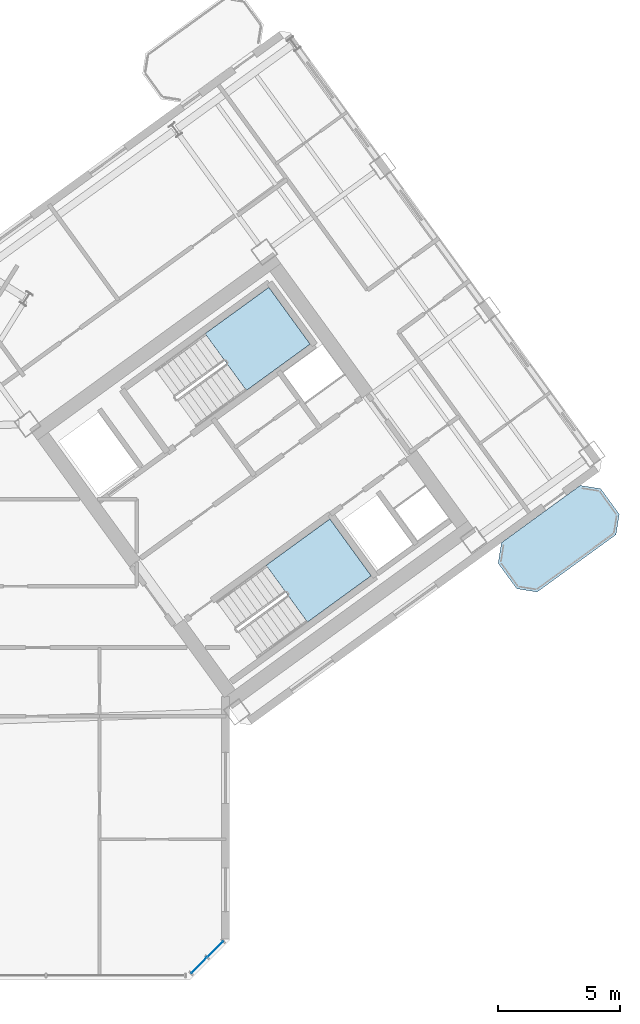
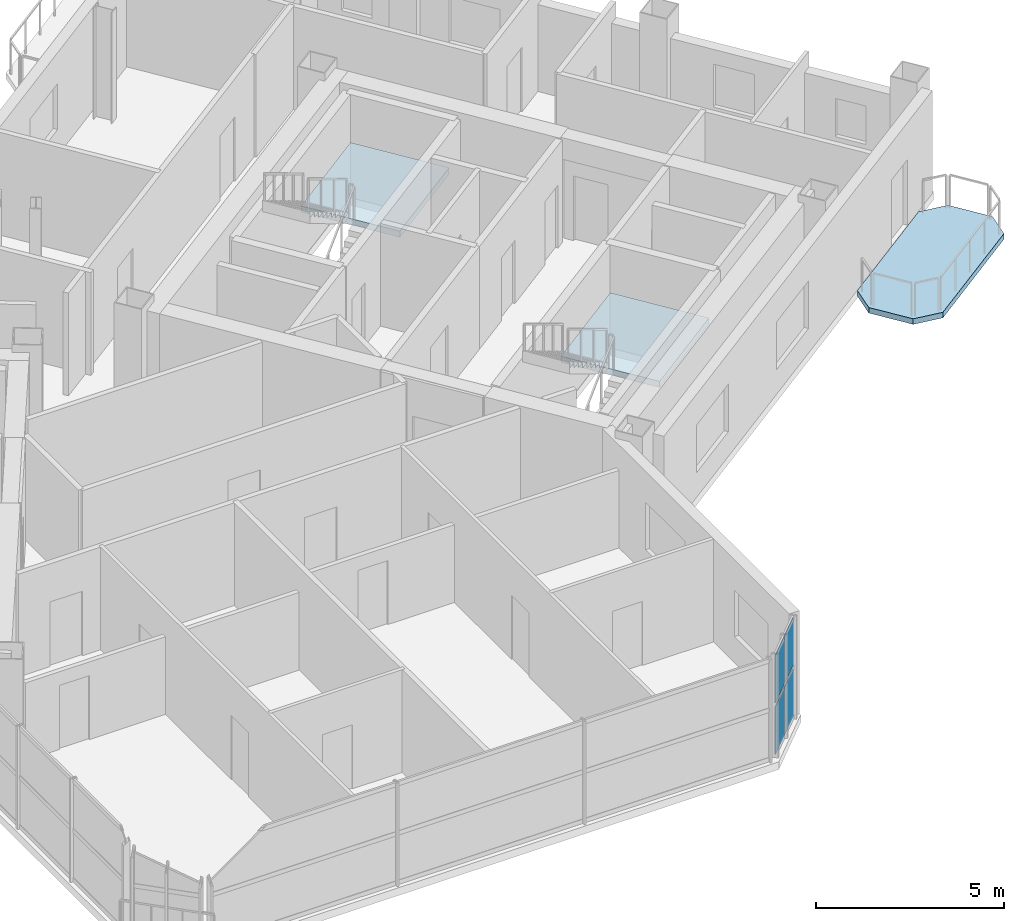
# One storey, part 10 of 20: 4 plates, 3 slabs, 3 elements without a shape of their own.
"""IFC4 building model written with IfcOpenShell, lengths in metres."""

import ifcopenshell
import ifcopenshell.guid

model = None  # the IFC model being written
_history = None  # IfcOwnerHistory: only IFC2X3 demands one
_inside = {}  # id of a spatial element -> (the spatial element, [elements in it])
_under = {}  # id of a project, library or spatial element -> (it, [spatial elements below it])
_declared = {}  # id of a project -> (the project, [libraries it declares])
_typed = {}  # id of a type object -> (the type object, [elements of that type])
_made_of = {}  # id of a material, layer set ... -> (it, [elements and type objects made of it])


def new_model(schema):
    """Start an empty IFC model of exactly this schema.

    Asked for "IFC4X3", IfcOpenShell would pick the latest addendum, in which some entities
    have other attributes; the version numbers below select the first issue.
    IFC2X3 requires an IfcOwnerHistory on every rooted entity: one is made here for all.
    """
    global model, _history
    if schema == "IFC4X3":
        model = ifcopenshell.file(schema_version=(4, 3, 0, 0))
    else:
        model = ifcopenshell.file(schema=schema)
    _inside.clear()
    _under.clear()
    _declared.clear()
    _typed.clear()
    _made_of.clear()
    _history = None
    if model.schema == "IFC2X3":
        org = make("IfcOrganization", Name="unknown")
        user = make(
            "IfcPersonAndOrganization",
            ThePerson=make("IfcPerson", FamilyName="unknown"),
            TheOrganization=org,
        )
        app = make(
            "IfcApplication",
            ApplicationDeveloper=org,
            Version="unknown",
            ApplicationFullName="unknown",
            ApplicationIdentifier="unknown",
        )
        _history = make(
            "IfcOwnerHistory",
            OwningUser=user,
            OwningApplication=app,
            ChangeAction="ADDED",
            CreationDate=0,
        )
    return model


def make(cls, **values):
    """One entity of the class cls with the attributes given. An attribute that is None is left unset."""
    return model.create_entity(
        cls, **{name: value for name, value in values.items() if value is not None}
    )


def rooted(cls, **values):
    """An entity with a GlobalId (a new one), such as an element, a storey or a relation."""
    return make(cls, GlobalId=ifcopenshell.guid.new(), OwnerHistory=_history, **values)


def si_unit(unit_type, name, prefix=None):
    """IfcSIUnit, for example si_unit("LENGTHUNIT", "METRE", prefix="MILLI")."""
    return make("IfcSIUnit", UnitType=unit_type, Prefix=prefix, Name=name)


def assignment(units):
    """IfcUnitAssignment: the units of a project."""
    return None if units is None else make("IfcUnitAssignment", Units=units)


def point(xyz):
    """IfcCartesianPoint."""
    return None if xyz is None else make("IfcCartesianPoint", Coordinates=xyz)


def direction(xyz):
    """IfcDirection."""
    return None if xyz is None else make("IfcDirection", DirectionRatios=xyz)


def frame(location, z_axis=None, x_axis=None):
    """IfcAxis2Placement3D, a coordinate frame: its origin and axes. An axis left out is left unset."""
    return make(
        "IfcAxis2Placement3D",
        Location=point(location),
        Axis=direction(z_axis),
        RefDirection=direction(x_axis),
    )


def frame_2d(location, x_axis=None):
    """IfcAxis2Placement2D, a coordinate frame in the plane: its origin and x axis."""
    return make(
        "IfcAxis2Placement2D", Location=point(location), RefDirection=direction(x_axis)
    )


def origin():
    """The frame at (0, 0, 0) with its axes left unset."""
    return frame((0.0, 0.0, 0.0))


def origin_2d():
    """The frame at (0, 0) in the plane with its x axis left unset."""
    return frame_2d((0.0, 0.0))


def place(relative_to, where):
    """IfcLocalPlacement: puts the frame where relative to a parent placement (None: the world)."""
    return make(
        "IfcLocalPlacement", PlacementRelTo=relative_to, RelativePlacement=where
    )


def context(
    kind, dimensions, precision=None, world=None, true_north=None, identifier=None
):
    """IfcGeometricRepresentationContext, for example the 3D "Model" context."""
    return make(
        "IfcGeometricRepresentationContext",
        ContextIdentifier=identifier,
        ContextType=kind,
        CoordinateSpaceDimension=dimensions,
        Precision=precision,
        WorldCoordinateSystem=world,
        TrueNorth=true_north,
    )


def subcontext(parent, identifier, kind, view, scale=None):
    """IfcGeometricRepresentationSubContext, for example "Body" below "Model"."""
    return make(
        "IfcGeometricRepresentationSubContext",
        ContextIdentifier=identifier,
        ContextType=kind,
        ParentContext=parent,
        TargetScale=scale,
        TargetView=view,
    )


def project(units=None, contexts=None):
    """IfcProject with its units and contexts."""
    return rooted(
        "IfcProject",
        Name="project",
        RepresentationContexts=contexts,
        UnitsInContext=assignment(units),
    )


def spatial(cls, under=None, at=None, **own):
    """A site, building, storey or space (cls), placed at a placement, below another one or the project."""
    s = rooted(cls, ObjectPlacement=at, **own)
    if under is not None:
        _under.setdefault(under.id(), (under, []))[1].append(s)
    return s


def polyline(points):
    """IfcPolyline through the points."""
    return make("IfcPolyline", Points=[point(p) for p in points])


def profile(cls, at=None, kind="AREA", **sizes):
    """A parametric profile (cls). Its sizes go by their IFC names, for example OverallWidth=200.0."""
    return make(cls, ProfileType=kind, Position=at, **sizes)


def rectangle(**sizes):
    """IfcRectangleProfileDef."""
    return profile("IfcRectangleProfileDef", **sizes)


def outline(outer, holes=None, kind="AREA"):
    """IfcArbitraryClosedProfileDef: a profile drawn as a closed curve; with holes, ...WithVoids."""
    if holes is None:
        return make("IfcArbitraryClosedProfileDef", ProfileType=kind, OuterCurve=outer)
    return make(
        "IfcArbitraryProfileDefWithVoids",
        ProfileType=kind,
        OuterCurve=outer,
        InnerCurves=holes,
    )


def extrude(swept, where, along, depth):
    """IfcExtrudedAreaSolid: the profile swept, set in the frame where, extruded along a direction by depth."""
    return make(
        "IfcExtrudedAreaSolid",
        SweptArea=swept,
        Position=where,
        ExtrudedDirection=direction(along),
        Depth=depth,
    )


def shape(context_of_items, identifier, shape_type, items):
    """IfcShapeRepresentation: the items that make up one representation, for example the "Body"."""
    return make(
        "IfcShapeRepresentation",
        ContextOfItems=context_of_items,
        RepresentationIdentifier=identifier,
        RepresentationType=shape_type,
        Items=items,
    )


def source(mapping_origin, context_of_items, identifier, shape_type, items):
    """IfcRepresentationMap: a shape defined once, which mapped items show again and again."""
    return make(
        "IfcRepresentationMap",
        MappingOrigin=mapping_origin,
        MappedRepresentation=shape(context_of_items, identifier, shape_type, items),
    )


def transform(
    local_origin,
    x_axis=None,
    y_axis=None,
    z_axis=None,
    scale=None,
    scale2=None,
    scale3=None,
    uniform=True,
):
    """IfcCartesianTransformationOperator3D, or its non-uniform kind. x_axis, y_axis, z_axis: its Axis1, 2, 3."""
    if uniform:
        return make(
            "IfcCartesianTransformationOperator3D",
            Axis1=direction(x_axis),
            Axis2=direction(y_axis),
            LocalOrigin=point(local_origin),
            Scale=scale,
            Axis3=direction(z_axis),
        )
    return make(
        "IfcCartesianTransformationOperator3DnonUniform",
        Axis1=direction(x_axis),
        Axis2=direction(y_axis),
        LocalOrigin=point(local_origin),
        Scale=scale,
        Axis3=direction(z_axis),
        Scale2=scale2,
        Scale3=scale3,
    )


def mapped(mapping_source, mapping_target):
    """IfcMappedItem: shows the shape of a source again, moved by a transform."""
    return make(
        "IfcMappedItem", MappingSource=mapping_source, MappingTarget=mapping_target
    )


def material(Name=None, Category=None):
    """IfcMaterial."""
    return make("IfcMaterial", Name=Name, Category=Category)


def layer(
    of_material, thickness, ventilated=None, Name=None, Category=None, Priority=None
):
    """IfcMaterialLayer: one layer of a wall or slab, of a material (None: an air gap)."""
    return make(
        "IfcMaterialLayer",
        Material=of_material,
        LayerThickness=thickness,
        IsVentilated=ventilated,
        Name=Name,
        Category=Category,
        Priority=Priority,
    )


def layer_set(layers, Name=None):
    """IfcMaterialLayerSet."""
    return make("IfcMaterialLayerSet", MaterialLayers=layers, LayerSetName=Name)


def made_of(thing, what):
    """Note that an element or type object is made of a material, layer set ...; save() writes the relation."""
    if what is not None:
        _made_of.setdefault(what.id(), (what, []))[1].append(thing)
    return thing


def type_object(cls, material=None, **own):
    """A type object (cls), such as IfcWallType, which elements share."""
    return made_of(rooted(cls, **own), material)


def element(
    cls,
    number,
    at=None,
    inside=None,
    cuts=None,
    type_object=None,
    material=None,
    context=None,
    identifier="Body",
    shape_type=None,
    held_by="IfcProductDefinitionShape",
    body=None,
    shapes=None,
    **own,
):
    """One element of the class cls, such as IfcWall. Its Tag is "e" and its number.

    at: its placement. inside: the storey or other place that contains it. cuts: it is an
    opening in that element (IfcRelVoidsElement). A single representation is given by context,
    identifier, shape_type and body (its items); several are given by shapes. held_by: the class
    of the entity that holds the representations. save() writes the other relations.
    """
    e = rooted(cls, Tag="e%d" % number, ObjectPlacement=at, **own)
    if body is not None:
        shapes = [shape(context, identifier, shape_type, body)]
    if shapes is not None:
        e.Representation = make(held_by, Representations=shapes)
    if inside is not None:
        _inside.setdefault(inside.id(), (inside, []))[1].append(e)
    if cuts is not None:
        rooted(
            "IfcRelVoidsElement", RelatingBuildingElement=cuts, RelatedOpeningElement=e
        )
    if type_object is not None:
        _typed.setdefault(type_object.id(), (type_object, []))[1].append(e)
    return made_of(e, material)


def aggregate(whole, parts):
    """IfcRelAggregates: a whole, such as a stair, and the parts it consists of."""
    return rooted("IfcRelAggregates", RelatingObject=whole, RelatedObjects=parts)


def save(model, path):
    """Write the relations noted so far, then the file.

    IfcRelAggregates (storeys below a building ...), IfcRelContainedInSpatialStructure (elements
    in a storey), IfcRelDefinesByType, IfcRelAssociatesMaterial and IfcRelDeclares: one each for
    every whole, place, type object, material and project.
    """
    for whole, parts in _under.values():
        aggregate(whole, parts)
    for where, things in _inside.values():
        rooted(
            "IfcRelContainedInSpatialStructure",
            RelatedElements=things,
            RelatingStructure=where,
        )
    for kind, things in _typed.values():
        rooted("IfcRelDefinesByType", RelatedObjects=things, RelatingType=kind)
    for what, things in _made_of.values():
        rooted("IfcRelAssociatesMaterial", RelatedObjects=things, RelatingMaterial=what)
    for by, libraries in _declared.values():
        rooted("IfcRelDeclares", RelatingContext=by, RelatedDefinitions=libraries)
    model.write(path)


model = new_model("IFC4")

# Units and contexts
model_context = context("Model", 3, precision=1e-05, world=origin(), true_north=direction((0.0, 1.0)))
body_context = subcontext(model_context, "Body", "Model", "MODEL_VIEW")
ifc_project = project(units=[si_unit("LENGTHUNIT", "METRE"), si_unit("AREAUNIT", "SQUARE_METRE"), si_unit("VOLUMEUNIT", "CUBIC_METRE"), si_unit("PLANEANGLEUNIT", "RADIAN"), si_unit("MASSUNIT", "GRAM", prefix="KILO")], contexts=[model_context])

# Site, building, storey
site_placement = place(None, origin())
site = spatial("IfcSite", under=ifc_project, at=site_placement, CompositionType="ELEMENT")
building_placement = place(site_placement, origin())
building = spatial("IfcBuilding", under=site, at=building_placement, Name="Tlacorven Tower", CompositionType="ELEMENT")
storey_placement = place(building_placement, frame((0.0, 0.0, 187.800048828125)))
storey = spatial("IfcBuildingStorey", under=building, at=storey_placement, Name="L47", CompositionType="ELEMENT", Elevation=187.800048828125)

# Slab
ifc_material_1 = material(Name="Precast concrete C45/55", Category="concrete")
ifc_layer_1 = layer(ifc_material_1, 0.179931640625)
ifc_layer_set_1 = layer_set([ifc_layer_1], Name="Precast concrete C45/55")
slab_type_1 = type_object("IfcSlabType", Name="SL-BAL-180", PredefinedType="USERDEFINED", material=ifc_layer_set_1)
slab_1_placement = place(storey_placement, frame((0.0, 0.0, -0.179931640625)))
element("IfcSlab", 1, at=slab_1_placement, inside=storey, type_object=slab_type_1, Name="L47 East Wing Balcony Ribbon OUT", ObjectType="BALCONY SLAB", PredefinedType="USERDEFINED", context=body_context, shape_type="SweptSolid", body=[
    extrude(outline(polyline([(65.025634765625, 17.69482421875), (68.26171875, 20.046142578125), (68.394287109375, 20.884033203125), (67.633056640625, 21.931884765625), (66.795166015625, 22.064453125), (63.55908203125, 19.71337890625), (63.42626953125, 18.875244140625), (64.1875, 17.82763671875), (65.025634765625, 17.69482421875)])), origin(), (0.0, 0.0, 1.0), 0.179931640625),
])

# Stair, slab
ifc_material_2 = material(Name="Concrete C40/50", Category="concrete")
stair_type = type_object("IfcStairType", Name="ST-CORE-DLG", PredefinedType="HALF_TURN_STAIR", material=ifc_material_2)
stair_1_placement = place(storey_placement, origin())
stair_1 = element("IfcStair", 2, at=stair_1_placement, inside=storey, type_object=stair_type, Name="L47 Protected Exit Stair East 1", PredefinedType="HALF_TURN_STAIR")
ifc_layer_2 = layer(ifc_material_2, 0.199951171875)
ifc_layer_set_2 = layer_set([ifc_layer_2], Name="Concrete C40/50")
slab_type_2 = type_object("IfcSlabType", Name="SL-LND-200", PredefinedType="LANDING", material=ifc_layer_set_2)
slab_2_placement = place(storey_placement, frame((0.0, 0.0, 1.599853515625)))
slab_2 = element("IfcSlab", 3, at=slab_2_placement, type_object=slab_type_2, Name="ST-E1 landing 1", PredefinedType="LANDING", context=body_context, shape_type="SweptSolid", body=[
    extrude(outline(polyline([(53.09765625, 25.962890625), (55.7109375, 27.861572265625), (54.01806640625, 30.19140625), (51.40478515625, 28.29296875), (53.09765625, 25.962890625)])), origin(), (0.0, 0.0, 1.0), 0.2001953125),
])
aggregate(stair_1, [slab_2])

stair_2_placement = place(storey_placement, origin())
stair_2 = element("IfcStair", 4, at=stair_2_placement, inside=storey, type_object=stair_type, Name="L47 Protected Exit Stair East 2", PredefinedType="HALF_TURN_STAIR")
slab_3_placement = place(storey_placement, frame((0.0, 0.0, 1.599853515625)))
slab_3 = element("IfcSlab", 5, at=slab_3_placement, type_object=slab_type_2, Name="ST-E2 landing 1", PredefinedType="LANDING", context=body_context, shape_type="SweptSolid", body=[
    extrude(outline(polyline([(55.601806640625, 16.4599609375), (58.21484375, 18.3583984375), (56.52197265625, 20.6884765625), (53.908935546875, 18.789794921875), (55.601806640625, 16.4599609375)])), origin(), (0.0, 0.0, 1.0), 0.2001953125),
])
aggregate(stair_2, [slab_3])

# Curtain wall, plates
ifc_material_3 = material(Name="Dark solar low-E double glazing in aluminium frame", Category="aluminium")
curtain_wall_type = type_object("IfcCurtainWallType", Name="CW-TWR-MID", PredefinedType="USERDEFINED", material=ifc_material_3)
curtain_wall_placement = place(storey_placement, origin())
curtain_wall = element("IfcCurtainWall", 6, at=curtain_wall_placement, inside=storey, type_object=curtain_wall_type, Name="L47 CW-TWR-MID Curtain Wall 216", ObjectType="UNITISED CURTAIN WALL", PredefinedType="USERDEFINED")
ifc_material_4 = material(Name="High-wind dark solar tempered low-E glazing", Category="glass")
ifc_layer_3 = layer(ifc_material_4, 0.028076171875)
ifc_layer_set_3 = layer_set([ifc_layer_3], Name="High-wind dark solar tempered low-E glazing")
plate_type = type_object("IfcPlateType", Name="CWP-03", PredefinedType="CURTAIN_PANEL", material=ifc_layer_set_3)
shared_shape = source(origin(), body_context, "Body", "SweptSolid", [
    extrude(rectangle(XDim=0.885498046875, YDim=0.028076171875, at=origin_2d()), origin(), (0.0, 0.0, 1.0), 1.552978515625),
])
plate_1_placement = place(storey_placement, frame((51.816650390625, 3.04296875, 0.06103515625), z_axis=(0.0, 0.0, 1.0), x_axis=(-0.707106781187, -0.707106781187, 0.0)))
plate_1 = element("IfcPlate", 7, at=plate_1_placement, type_object=plate_type, Name="CW-L47-216 Glazing Panel 1", PredefinedType="CURTAIN_PANEL", context=body_context, shape_type="MappedRepresentation", body=[
    mapped(shared_shape, transform((0.0, 0.0, 0.0), scale=1.0)),
])
plate_2_placement = place(storey_placement, frame((51.816650390625, 3.04296875, 1.73583984375), z_axis=(0.0, 0.0, 1.0), x_axis=(-0.707106781187, -0.707106781187, 0.0)))
plate_2 = element("IfcPlate", 8, at=plate_2_placement, type_object=plate_type, Name="CW-L47-216 Glazing Panel 2", PredefinedType="CURTAIN_PANEL", context=body_context, shape_type="MappedRepresentation", body=[
    mapped(shared_shape, transform((0.0, 0.0, 0.0), scale=1.0)),
])
plate_3_placement = place(storey_placement, frame((51.1572265625, 2.38330078125, 0.06103515625), z_axis=(0.0, 0.0, 1.0), x_axis=(-0.707106781187, -0.707106781187, 0.0)))
plate_3 = element("IfcPlate", 9, at=plate_3_placement, type_object=plate_type, Name="CW-L47-216 Glazing Panel 3", PredefinedType="CURTAIN_PANEL", context=body_context, shape_type="MappedRepresentation", body=[
    mapped(shared_shape, transform((0.0, 0.0, 0.0), scale=1.0)),
])
plate_4_placement = place(storey_placement, frame((51.1572265625, 2.38330078125, 1.73583984375), z_axis=(0.0, 0.0, 1.0), x_axis=(-0.707106781187, -0.707106781187, 0.0)))
plate_4 = element("IfcPlate", 10, at=plate_4_placement, type_object=plate_type, Name="CW-L47-216 Glazing Panel 4", PredefinedType="CURTAIN_PANEL", context=body_context, shape_type="MappedRepresentation", body=[
    mapped(shared_shape, transform((0.0, 0.0, 0.0), scale=1.0)),
])
aggregate(curtain_wall, [plate_1, plate_2, plate_3, plate_4])

save(model, "model.ifc")
